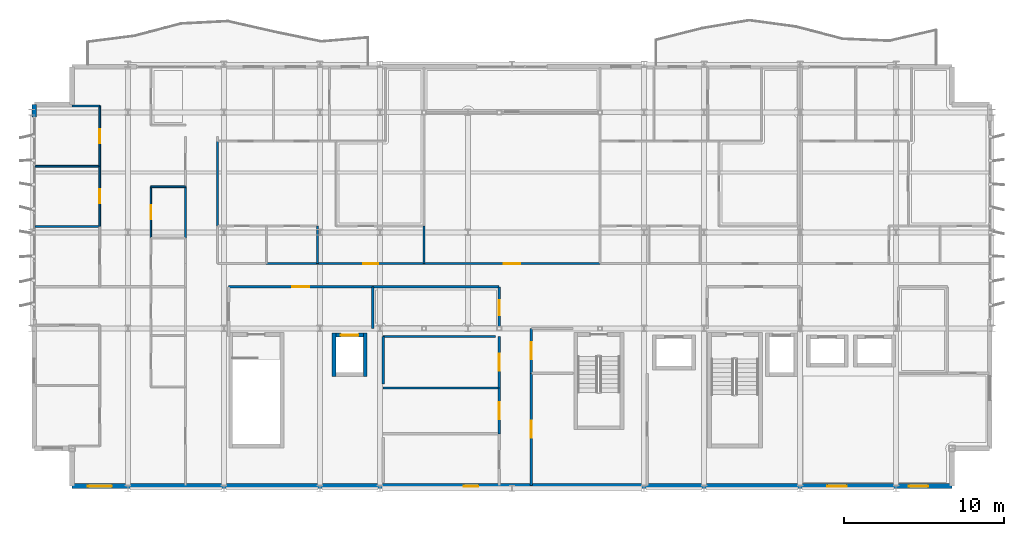
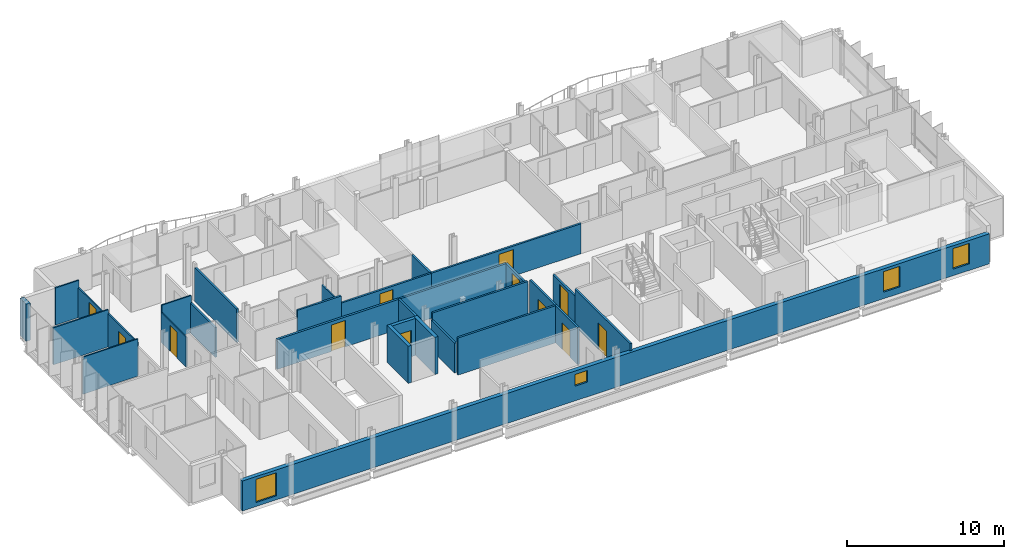
# One storey, part 27 of 35: 30 walls, 12 doors, 4 windows, 16 openings.
"""IFC4 building model written with IfcOpenShell, lengths in metres."""

from ifc_helpers import new_model, si_unit, direction, frame, frame_2d, origin, place, context, subcontext, project, spatial, rectangle, extrude, material, layer, layer_set, type_object, element, fill, save


model = new_model("IFC4")

# Units and contexts
model_context = context("Model", 3, precision=1e-05, world=origin(), true_north=direction((0.0, 1.0)))
body_context = subcontext(model_context, "Body", "Model", "MODEL_VIEW")
ifc_project = project(units=[si_unit("LENGTHUNIT", "METRE"), si_unit("AREAUNIT", "SQUARE_METRE"), si_unit("VOLUMEUNIT", "CUBIC_METRE"), si_unit("PLANEANGLEUNIT", "RADIAN"), si_unit("MASSUNIT", "GRAM", prefix="KILO")], contexts=[model_context])

# Site, building, storey
site_placement = place(None, origin())
site = spatial("IfcSite", under=ifc_project, at=site_placement, CompositionType="ELEMENT")
building_placement = place(site_placement, origin())
building = spatial("IfcBuilding", under=site, at=building_placement, Name="Brevholm Reach", CompositionType="ELEMENT")
storey_placement = place(building_placement, frame((0.0, 0.0, 218.0)))
storey = spatial("IfcBuildingStorey", under=building, at=storey_placement, Name="L66", CompositionType="ELEMENT", Elevation=218.0)

# Walls
ifc_material_1 = material(Name="Concrete C45/55", Category="concrete")
ifc_layer_1 = layer(ifc_material_1, 0.239990234375)
ifc_layer_set_1 = layer_set([ifc_layer_1], Name="Concrete C45/55")
wall_type_1 = type_object("IfcWallType", Name="WAL-COR-240", PredefinedType="SHEAR", material=ifc_layer_set_1)
for number, where, z_axis, x_axis, name in (
    (1, (18.8701171875, 7.0, 0.0), (0.0, 0.0, 1.0), (0.0, 1.0, 0.0), "L66 Lift FFL-1 Shaft Wall W"),
    (2, (20.830078125, 7.0, 0.0), (0.0, 0.0, 1.0), (0.0, 1.0, 0.0), "L66 Lift FFL-1 Shaft Wall E"),
):
    element("IfcWall", number, at=place(storey_placement, frame(where, z_axis=z_axis, x_axis=x_axis)), inside=storey, type_object=wall_type_1, Name=name, PredefinedType="SHEAR", context=body_context, shape_type="SweptSolid", body=[
        extrude(rectangle(XDim=2.699951171875, YDim=0.239990234375, at=frame_2d((1.35009765625, 0.0))), origin(), (0.0, 0.0, 1.0), 2.889892578125),
    ])

# Wall, opening, door
wall_1_placement = place(storey_placement, frame((18.989990234375, 9.580078125, 0.0), z_axis=(0.0, 0.0, 1.0), x_axis=(1.0, 0.0, 0.0)))
wall_1 = element("IfcWall", 3, at=wall_1_placement, inside=storey, type_object=wall_type_1, Name="L66 Lift FFL-1 Shaft Wall N", PredefinedType="SHEAR", context=body_context, shape_type="SweptSolid", body=[
    extrude(rectangle(XDim=1.719970703125, YDim=0.239990234375, at=frame_2d((0.85986328125, 0.0))), origin(), (0.0, 0.0, 1.0), 2.889892578125),
])
opening_1_placement = place(wall_1_placement, frame((0.31005859375, 0.0, 0.0)))
opening_1 = element("IfcOpeningElement", 4, at=opening_1_placement, cuts=wall_1, Name="Opening LD-FFL-1", PredefinedType="OPENING", context=body_context, shape_type="SweptSolid", body=[
    extrude(rectangle(XDim=1.10009765625, YDim=2.06005859375, at=frame_2d((0.550048828125, 1.030029296875))), frame((0.0, 0.1298828125, 0.0), z_axis=(0.0, -1.0, 0.0), x_axis=(1.0, 0.0, 0.0)), (0.0, 0.0, 1.0), 0.260009765625),
])
ifc_material_2 = material(Name="Brushed Stainless Steel Fire-Rated Sliding Lift Door", Category="steel")
door_type_1 = type_object("IfcDoorType", Name="DOR-LFT-1100", OperationType="NOTDEFINED", PredefinedType="DOOR", material=ifc_material_2)
door_1_placement = place(opening_1_placement, origin())
door_1 = element("IfcDoor", 5, at=door_1_placement, inside=storey, type_object=door_type_1, Name="L66 Lift FFL-1 Sliding Landing Door", OperationType="SLIDING_TO_RIGHT", OverallHeight=2.06005859375, OverallWidth=1.10009765625, PredefinedType="DOOR", context=body_context, shape_type="SweptSolid", body=[
    extrude(rectangle(XDim=1.10009765625, YDim=2.06005859375, at=frame_2d((0.550048828125, 1.030029296875))), frame((0.0, 0.02490234375, 0.0), z_axis=(0.0, -1.0, 0.0), x_axis=(1.0, 0.0, 0.0)), (0.0, 0.0, 1.0), 0.050048828125),
])
fill(opening_1, door_1)

# Wall, openings, windows
ifc_material_3 = material(Name="Concrete C40/50", Category="concrete")
ifc_layer_2 = layer(ifc_material_3, 0.300048828125)
ifc_layer_set_2 = layer_set([ifc_layer_2], Name="Concrete C40/50")
wall_type_2 = type_object("IfcWallType", Name="WAL-EXT-300", PredefinedType="STANDARD", material=ifc_layer_set_2)
wall_2_placement = place(storey_placement, frame((2.5, 0.14990234375, 0.0), z_axis=(0.0, 0.0, 1.0), x_axis=(1.0, 0.0, 0.0)))
wall_2 = element("IfcWall", 6, at=wall_2_placement, inside=storey, type_object=wall_type_2, Name="L66 Facade Wall WAL-L66-S", PredefinedType="STANDARD", context=body_context, shape_type="SweptSolid", body=[
    extrude(rectangle(XDim=55.0, YDim=0.300048828125, at=frame_2d((27.5, 0.0))), origin(), (0.0, 0.0, 1.0), 2.331787109375),
])
opening_2_placement = place(wall_2_placement, frame((1.0, 0.0, 0.31201171875)))
opening_2 = element("IfcOpeningElement", 7, at=opening_2_placement, cuts=wall_2, Name="Opening WN-05", PredefinedType="OPENING", context=body_context, shape_type="SweptSolid", body=[
    extrude(rectangle(XDim=1.5, YDim=1.800048828125, at=frame_2d((0.75, 0.89990234375))), frame((0.0, 0.159912109375, 0.0), z_axis=(0.0, -1.0, 0.0), x_axis=(1.0, 0.0, 0.0)), (0.0, 0.0, 1.0), 0.320068359375),
])
opening_3_placement = place(wall_2_placement, frame((24.5, 0.0, 1.14990234375)))
opening_3 = element("IfcOpeningElement", 8, at=opening_3_placement, cuts=wall_2, Name="Opening WN-09", PredefinedType="OPENING", context=body_context, shape_type="SweptSolid", body=[
    extrude(rectangle(XDim=0.89990234375, YDim=0.89990234375, at=frame_2d((0.449951171875, 0.449951171875))), frame((0.0, 0.159912109375, 0.0), z_axis=(0.0, -1.0, 0.0), x_axis=(1.0, 0.0, 0.0)), (0.0, 0.0, 1.0), 0.320068359375),
])
opening_4_placement = place(wall_2_placement, frame((47.199951171875, 0.0, 0.511962890625)))
opening_4 = element("IfcOpeningElement", 9, at=opening_4_placement, cuts=wall_2, Name="Opening WN-08", PredefinedType="OPENING", context=body_context, shape_type="SweptSolid", body=[
    extrude(rectangle(XDim=1.199951171875, YDim=1.60009765625, at=frame_2d((0.60009765625, 0.800048828125))), frame((0.0, 0.159912109375, 0.0), z_axis=(0.0, -1.0, 0.0), x_axis=(1.0, 0.0, 0.0)), (0.0, 0.0, 1.0), 0.320068359375),
])
opening_5_placement = place(wall_2_placement, frame((52.300048828125, 0.0, 0.511962890625)))
opening_5 = element("IfcOpeningElement", 10, at=opening_5_placement, cuts=wall_2, Name="Opening WN-08", PredefinedType="OPENING", context=body_context, shape_type="SweptSolid", body=[
    extrude(rectangle(XDim=1.199951171875, YDim=1.60009765625, at=frame_2d((0.60009765625, 0.800048828125))), frame((0.0, 0.159912109375, 0.0), z_axis=(0.0, -1.0, 0.0), x_axis=(1.0, 0.0, 0.0)), (0.0, 0.0, 1.0), 0.320068359375),
])
ifc_material_4 = material(Name="Dark Anodised Aluminium and Solar-Control IGU Glass", Category="aluminium")
window_type_1 = type_object("IfcWindowType", Name="WIN-POR-0900", PartitioningType="SINGLE_PANEL", PredefinedType="WINDOW", material=ifc_material_4)
window_1_placement = place(opening_3_placement, origin())
window_1 = element("IfcWindow", 11, at=window_1_placement, inside=storey, type_object=window_type_1, Name="L66 Window WIN-L66-S-POR", OverallHeight=0.89990234375, OverallWidth=0.89990234375, PartitioningType="SINGLE_PANEL", PredefinedType="WINDOW", context=body_context, shape_type="SweptSolid", body=[
    extrude(rectangle(XDim=0.89990234375, YDim=0.89990234375, at=frame_2d((0.449951171875, 0.449951171875))), frame((0.0, 0.030029296875, 0.0), z_axis=(0.0, -1.0, 0.0), x_axis=(1.0, 0.0, 0.0)), (0.0, 0.0, 1.0), 0.06005859375),
])
fill(opening_3, window_1)
ifc_material_5 = material(Name="Dark Anodised Aluminium and Solar-Control IGU Glass", Category="aluminium")
window_type_2 = type_object("IfcWindowType", Name="WIN-RES-1200", PartitioningType="SINGLE_PANEL", PredefinedType="WINDOW", material=ifc_material_5)
window_2_placement = place(opening_4_placement, origin())
window_2 = element("IfcWindow", 12, at=window_2_placement, inside=storey, type_object=window_type_2, Name="L66 Window WIN-L66-S-E1", OverallHeight=1.60009765625, OverallWidth=1.199951171875, PartitioningType="SINGLE_PANEL", PredefinedType="WINDOW", context=body_context, shape_type="SweptSolid", body=[
    extrude(rectangle(XDim=1.199951171875, YDim=1.60009765625, at=frame_2d((0.60009765625, 0.800048828125))), frame((0.0, 0.030029296875, 0.0), z_axis=(0.0, -1.0, 0.0), x_axis=(1.0, 0.0, 0.0)), (0.0, 0.0, 1.0), 0.06005859375),
])
fill(opening_4, window_2)
window_3_placement = place(opening_5_placement, origin())
window_3 = element("IfcWindow", 13, at=window_3_placement, inside=storey, type_object=window_type_2, Name="L66 Window WIN-L66-S-E2", OverallHeight=1.60009765625, OverallWidth=1.199951171875, PartitioningType="SINGLE_PANEL", PredefinedType="WINDOW", context=body_context, shape_type="SweptSolid", body=[
    extrude(rectangle(XDim=1.199951171875, YDim=1.60009765625, at=frame_2d((0.60009765625, 0.800048828125))), frame((0.0, 0.030029296875, 0.0), z_axis=(0.0, -1.0, 0.0), x_axis=(1.0, 0.0, 0.0)), (0.0, 0.0, 1.0), 0.06005859375),
])
fill(opening_5, window_3)
ifc_material_6 = material(Name="Dark Anodised Aluminium and Solar-Control IGU Glass", Category="aluminium")
window_type_3 = type_object("IfcWindowType", Name="WIN-RES-1500", PartitioningType="SINGLE_PANEL", PredefinedType="WINDOW", material=ifc_material_6)
window_4_placement = place(opening_2_placement, origin())
window_4 = element("IfcWindow", 14, at=window_4_placement, inside=storey, type_object=window_type_3, Name="L66 Window WIN-L66-S-W1", OverallHeight=1.800048828125, OverallWidth=1.5, PartitioningType="SINGLE_PANEL", PredefinedType="WINDOW", context=body_context, shape_type="SweptSolid", body=[
    extrude(rectangle(XDim=1.5, YDim=1.800048828125, at=frame_2d((0.75, 0.89990234375))), frame((0.0, 0.030029296875, 0.0), z_axis=(0.0, -1.0, 0.0), x_axis=(1.0, 0.0, 0.0)), (0.0, 0.0, 1.0), 0.06005859375),
])
fill(opening_2, window_4)

# Walls
wall_3_placement = place(storey_placement, frame((0.14990234375, 24.0, 0.0), z_axis=(0.0, 0.0, 1.0), x_axis=(0.0, -1.0, 0.0)))
element("IfcWall", 15, at=wall_3_placement, inside=storey, type_object=wall_type_2, Name="L66 Facade Wall WAL-L66-W-N", PredefinedType="STANDARD", context=body_context, shape_type="SweptSolid", body=[
    extrude(rectangle(XDim=0.780029296875, YDim=0.300048828125, at=frame_2d((0.39013671875, 0.0))), origin(), (0.0, 0.0, 1.0), 2.889892578125),
])
ifc_material_7 = material(Name="Moisture-Resistant Acoustic Gypsum Stud Partition 100 mm", Category="gypsum")
ifc_layer_3 = layer(ifc_material_7, 0.10009765625)
ifc_layer_set_3 = layer_set([ifc_layer_3], Name="Moisture-Resistant Acoustic Gypsum Stud Partition 100 mm")
wall_type_3 = type_object("IfcWallType", Name="WAL-PRT-100", PredefinedType="PARTITIONING", material=ifc_layer_set_3)
wall_4_placement = place(storey_placement, frame((7.43798828125, 18.85009765625, 0.0), z_axis=(0.0, 0.0, 1.0), x_axis=(1.0, 0.0, 0.0)))
element("IfcWall", 16, at=wall_4_placement, inside=storey, type_object=wall_type_3, Name="L66 Internal Partition 058", PredefinedType="PARTITIONING", context=body_context, shape_type="SweptSolid", body=[
    extrude(rectangle(XDim=2.157958984375, YDim=0.10009765625, at=frame_2d((1.0791015625, 0.0))), origin(), (0.0, 0.0, 1.0), 2.889892578125),
])

# Wall, opening, door
wall_5_placement = place(storey_placement, frame((7.43798828125, 15.654052734375, 0.0), z_axis=(0.0, 0.0, 1.0), x_axis=(0.0, 1.0, 0.0)))
wall_5 = element("IfcWall", 17, at=wall_5_placement, inside=storey, type_object=wall_type_3, Name="L66 Internal Partition 059", PredefinedType="PARTITIONING", context=body_context, shape_type="SweptSolid", body=[
    extrude(rectangle(XDim=3.196044921875, YDim=0.10009765625, at=frame_2d((1.59814453125, 0.0))), origin(), (0.0, 0.0, 1.0), 2.325439453125),
])
opening_6_placement = place(wall_5_placement, frame((1.157958984375, 0.0, 0.0)))
opening_6 = element("IfcOpeningElement", 18, at=opening_6_placement, cuts=wall_5, Name="Opening ID-01", PredefinedType="OPENING", context=body_context, shape_type="SweptSolid", body=[
    extrude(rectangle(XDim=0.8798828125, YDim=2.0400390625, at=frame_2d((0.43994140625, 1.02001953125))), frame((0.0, 0.06005859375, 0.0), z_axis=(0.0, -1.0, 0.0), x_axis=(1.0, 0.0, 0.0)), (0.0, 0.0, 1.0), 0.1201171875),
])
ifc_material_8 = material(Name="Lacquered Ash Solid-Core Acoustic Internal Door", Category="timber")
door_type_2 = type_object("IfcDoorType", Name="DOR-INT-880", OperationType="NOTDEFINED", PredefinedType="DOOR", material=ifc_material_8)
door_2_placement = place(opening_6_placement, origin())
door_2 = element("IfcDoor", 19, at=door_2_placement, inside=storey, type_object=door_type_2, Name="L66 Internal Door 025", OperationType="SINGLE_SWING_RIGHT", OverallHeight=2.0400390625, OverallWidth=0.8798828125, PredefinedType="DOOR", context=body_context, shape_type="SweptSolid", body=[
    extrude(rectangle(XDim=0.8798828125, YDim=2.0400390625, at=frame_2d((0.43994140625, 1.02001953125))), frame((0.0, 0.02490234375, 0.0), z_axis=(0.0, -1.0, 0.0), x_axis=(1.0, 0.0, 0.0)), (0.0, 0.0, 1.0), 0.050048828125),
])
fill(opening_6, door_2)

# Walls
for number, where, z_axis, x_axis, name in (
    (20, (0.199951171875, 16.366943359375, 0.0), (0.0, 0.0, 1.0), (1.0, 0.0, 0.0), "L66 Internal Partition 062"),
    (21, (0.199951171875, 20.134033203125, 0.0), (0.0, 0.0, 1.0), (1.0, 0.0, 0.0), "L66 Internal Partition 064"),
):
    element("IfcWall", number, at=place(storey_placement, frame(where, z_axis=z_axis, x_axis=x_axis)), inside=storey, type_object=wall_type_3, Name=name, PredefinedType="PARTITIONING", context=body_context, shape_type="SweptSolid", body=[
        extrude(rectangle(XDim=4.0419921875, YDim=0.10009765625, at=frame_2d((2.02099609375, 0.0))), origin(), (0.0, 0.0, 1.0), 2.889892578125),
    ])

# Wall, opening, door
wall_6_placement = place(storey_placement, frame((4.241943359375, 16.37109375, 0.0), z_axis=(0.0, 0.0, 1.0), x_axis=(0.0, 1.0, 0.0)))
wall_6 = element("IfcWall", 22, at=wall_6_placement, inside=storey, type_object=wall_type_3, Name="L66 Internal Partition 065", PredefinedType="PARTITIONING", context=body_context, shape_type="SweptSolid", body=[
    extrude(rectangle(XDim=3.762939453125, YDim=0.10009765625, at=frame_2d((1.88134765625, 0.0))), origin(), (0.0, 0.0, 1.0), 2.613525390625),
])
opening_7_placement = place(wall_6_placement, frame((1.44140625, 0.0, 0.0)))
opening_7 = element("IfcOpeningElement", 23, at=opening_7_placement, cuts=wall_6, Name="Opening ID-01", PredefinedType="OPENING", context=body_context, shape_type="SweptSolid", body=[
    extrude(rectangle(XDim=0.8798828125, YDim=2.0400390625, at=frame_2d((0.43994140625, 1.02001953125))), frame((0.0, 0.06005859375, 0.0), z_axis=(0.0, -1.0, 0.0), x_axis=(1.0, 0.0, 0.0)), (0.0, 0.0, 1.0), 0.1201171875),
])
door_3_placement = place(opening_7_placement, origin())
door_3 = element("IfcDoor", 24, at=door_3_placement, inside=storey, type_object=door_type_2, Name="L66 Internal Door 028", OperationType="SINGLE_SWING_LEFT", OverallHeight=2.0400390625, OverallWidth=0.8798828125, PredefinedType="DOOR", context=body_context, shape_type="SweptSolid", body=[
    extrude(rectangle(XDim=0.8798828125, YDim=2.0400390625, at=frame_2d((0.43994140625, 1.02001953125))), frame((0.0, 0.02490234375, 0.0), z_axis=(0.0, -1.0, 0.0), x_axis=(1.0, 0.0, 0.0)), (0.0, 0.0, 1.0), 0.050048828125),
])
fill(opening_7, door_3)

# Wall
wall_7_placement = place(storey_placement, frame((2.52001953125, 23.90087890625, 0.0), z_axis=(0.0, 0.0, 1.0), x_axis=(1.0, 0.0, 0.0)))
element("IfcWall", 25, at=wall_7_placement, inside=storey, type_object=wall_type_3, Name="L66 Internal Partition 066", PredefinedType="PARTITIONING", context=body_context, shape_type="SweptSolid", body=[
    extrude(rectangle(XDim=1.721923828125, YDim=0.10009765625, at=frame_2d((0.86083984375, 0.0))), origin(), (0.0, 0.0, 1.0), 2.889892578125),
])

# Wall, opening, door
wall_8_placement = place(storey_placement, frame((4.241943359375, 20.137939453125, 0.0), z_axis=(0.0, 0.0, 1.0), x_axis=(0.0, 1.0, 0.0)))
wall_8 = element("IfcWall", 26, at=wall_8_placement, inside=storey, type_object=wall_type_3, Name="L66 Internal Partition 067", PredefinedType="PARTITIONING", context=body_context, shape_type="SweptSolid", body=[
    extrude(rectangle(XDim=3.762939453125, YDim=0.10009765625, at=frame_2d((1.88134765625, 0.0))), origin(), (0.0, 0.0, 1.0), 2.325439453125),
])
opening_8_placement = place(wall_8_placement, frame((1.44140625, 0.0, 0.0)))
opening_8 = element("IfcOpeningElement", 27, at=opening_8_placement, cuts=wall_8, Name="Opening ID-01", PredefinedType="OPENING", context=body_context, shape_type="SweptSolid", body=[
    extrude(rectangle(XDim=0.8798828125, YDim=2.0400390625, at=frame_2d((0.43994140625, 1.02001953125))), frame((0.0, 0.06005859375, 0.0), z_axis=(0.0, -1.0, 0.0), x_axis=(1.0, 0.0, 0.0)), (0.0, 0.0, 1.0), 0.1201171875),
])
door_4_placement = place(opening_8_placement, origin())
door_4 = element("IfcDoor", 28, at=door_4_placement, inside=storey, type_object=door_type_2, Name="L66 Internal Door 029", OperationType="SINGLE_SWING_RIGHT", OverallHeight=2.0400390625, OverallWidth=0.8798828125, PredefinedType="DOOR", context=body_context, shape_type="SweptSolid", body=[
    extrude(rectangle(XDim=0.8798828125, YDim=2.0400390625, at=frame_2d((0.43994140625, 1.02001953125))), frame((0.0, 0.02490234375, 0.0), z_axis=(0.0, -1.0, 0.0), x_axis=(1.0, 0.0, 0.0)), (0.0, 0.0, 1.0), 0.050048828125),
])
fill(opening_8, door_4)

# Wall
wall_9_placement = place(storey_placement, frame((17.85009765625, 14.053955078125, 0.0), z_axis=(0.0, 0.0, 1.0), x_axis=(0.0, 1.0, 0.0)))
element("IfcWall", 29, at=wall_9_placement, inside=storey, type_object=wall_type_3, Name="L66 Internal Partition 070", PredefinedType="PARTITIONING", context=body_context, shape_type="SweptSolid", body=[
    extrude(rectangle(XDim=2.345947265625, YDim=0.10009765625, at=frame_2d((1.1728515625, 0.0))), origin(), (0.0, 0.0, 1.0), 2.325439453125),
])

# Wall, opening, door
ifc_material_9 = material(Name="Twin-Stud Acoustic Fire-Rated Gypsum Partition 140 mm", Category="gypsum")
ifc_layer_4 = layer(ifc_material_9, 0.139892578125)
ifc_layer_set_4 = layer_set([ifc_layer_4], Name="Twin-Stud Acoustic Fire-Rated Gypsum Partition 140 mm")
wall_type_4 = type_object("IfcWallType", Name="WAL-PRT-140", PredefinedType="PARTITIONING", material=ifc_layer_set_4)
wall_10_placement = place(storey_placement, frame((29.199951171875, 3.40869140625, 0.0), z_axis=(0.0, 0.0, 1.0), x_axis=(0.0, 1.0, 0.0)))
wall_10 = element("IfcWall", 30, at=wall_10_placement, inside=storey, type_object=wall_type_4, Name="L66 Internal Partition 002", PredefinedType="PARTITIONING", context=body_context, shape_type="SweptSolid", body=[
    extrude(rectangle(XDim=2.885498046875, YDim=0.139892578125, at=frame_2d((1.44287109375, 0.0))), origin(), (0.0, 0.0, 1.0), 2.889892578125),
])
opening_9_placement = place(wall_10_placement, frame((0.917724609375, 0.0, 0.0)))
opening_9 = element("IfcOpeningElement", 31, at=opening_9_placement, cuts=wall_10, Name="Opening FD-01", PredefinedType="OPENING", context=body_context, shape_type="SweptSolid", body=[
    extrude(rectangle(XDim=1.050048828125, YDim=2.06005859375, at=frame_2d((0.52490234375, 1.030029296875))), frame((0.0, 0.079833984375, 0.0), z_axis=(0.0, -1.0, 0.0), x_axis=(1.0, 0.0, 0.0)), (0.0, 0.0, 1.0), 0.159912109375),
])
ifc_material_10 = material(Name="Hardwood-Lipped Steel-Core Fire and Smoke Door", Category="steel")
door_type_3 = type_object("IfcDoorType", Name="DOR-INT-FD60S", OperationType="NOTDEFINED", PredefinedType="DOOR", material=ifc_material_10)
door_5_placement = place(opening_9_placement, origin())
door_5 = element("IfcDoor", 32, at=door_5_placement, inside=storey, type_object=door_type_3, Name="L66 Internal Door 002", OperationType="SINGLE_SWING_LEFT", OverallHeight=2.06005859375, OverallWidth=1.050048828125, PredefinedType="DOOR", context=body_context, shape_type="SweptSolid", body=[
    extrude(rectangle(XDim=1.050048828125, YDim=2.06005859375, at=frame_2d((0.52490234375, 1.030029296875))), frame((0.0, 0.02490234375, 0.0), z_axis=(0.0, -1.0, 0.0), x_axis=(1.0, 0.0, 0.0)), (0.0, 0.0, 1.0), 0.050048828125),
])
fill(opening_9, door_5)

wall_11_placement = place(storey_placement, frame((29.199951171875, 6.275634765625, 0.0), z_axis=(0.0, 0.0, 1.0), x_axis=(0.0, 1.0, 0.0)))
wall_11 = element("IfcWall", 33, at=wall_11_placement, inside=storey, type_object=wall_type_4, Name="L66 Internal Partition 003", PredefinedType="PARTITIONING", context=body_context, shape_type="SweptSolid", body=[
    extrude(rectangle(XDim=3.235595703125, YDim=0.139892578125, at=frame_2d((1.61767578125, 0.0))), origin(), (0.0, 0.0, 1.0), 2.889892578125),
])
opening_10_placement = place(wall_11_placement, frame((1.0927734375, 0.0, 0.0)))
opening_10 = element("IfcOpeningElement", 34, at=opening_10_placement, cuts=wall_11, Name="Opening FD-01", PredefinedType="OPENING", context=body_context, shape_type="SweptSolid", body=[
    extrude(rectangle(XDim=1.050048828125, YDim=2.06005859375, at=frame_2d((0.52490234375, 1.030029296875))), frame((0.0, 0.079833984375, 0.0), z_axis=(0.0, -1.0, 0.0), x_axis=(1.0, 0.0, 0.0)), (0.0, 0.0, 1.0), 0.159912109375),
])
door_6_placement = place(opening_10_placement, origin())
door_6 = element("IfcDoor", 35, at=door_6_placement, inside=storey, type_object=door_type_3, Name="L66 Internal Door 003", OperationType="SINGLE_SWING_RIGHT", OverallHeight=2.06005859375, OverallWidth=1.050048828125, PredefinedType="DOOR", context=body_context, shape_type="SweptSolid", body=[
    extrude(rectangle(XDim=1.050048828125, YDim=2.06005859375, at=frame_2d((0.52490234375, 1.030029296875))), frame((0.0, 0.02490234375, 0.0), z_axis=(0.0, -1.0, 0.0), x_axis=(1.0, 0.0, 0.0)), (0.0, 0.0, 1.0), 0.050048828125),
])
fill(opening_10, door_6)

wall_12_placement = place(storey_placement, frame((31.199951171875, 0.179931640625, 0.0), z_axis=(0.0, 0.0, 1.0), x_axis=(0.0, 1.0, 0.0)))
wall_12 = element("IfcWall", 36, at=wall_12_placement, inside=storey, type_object=wall_type_4, Name="L66 Internal Partition 004", PredefinedType="PARTITIONING", context=body_context, shape_type="SweptSolid", body=[
    extrude(rectangle(XDim=7.03125, YDim=0.139892578125, at=frame_2d((3.515625, 0.0))), origin(), (0.0, 0.0, 1.0), 2.889892578125),
])
opening_11_placement = place(wall_12_placement, frame((2.99072265625, 0.0, 0.0)))
opening_11 = element("IfcOpeningElement", 37, at=opening_11_placement, cuts=wall_12, Name="Opening FD-01", PredefinedType="OPENING", context=body_context, shape_type="SweptSolid", body=[
    extrude(rectangle(XDim=1.050048828125, YDim=2.06005859375, at=frame_2d((0.52490234375, 1.030029296875))), frame((0.0, 0.079833984375, 0.0), z_axis=(0.0, -1.0, 0.0), x_axis=(1.0, 0.0, 0.0)), (0.0, 0.0, 1.0), 0.159912109375),
])
door_7_placement = place(opening_11_placement, origin())
door_7 = element("IfcDoor", 38, at=door_7_placement, inside=storey, type_object=door_type_3, Name="L66 Internal Door 004", OperationType="SINGLE_SWING_LEFT", OverallHeight=2.06005859375, OverallWidth=1.050048828125, PredefinedType="DOOR", context=body_context, shape_type="SweptSolid", body=[
    extrude(rectangle(XDim=1.050048828125, YDim=2.06005859375, at=frame_2d((0.52490234375, 1.030029296875))), frame((0.0, 0.02490234375, 0.0), z_axis=(0.0, -1.0, 0.0), x_axis=(1.0, 0.0, 0.0)), (0.0, 0.0, 1.0), 0.050048828125),
])
fill(opening_11, door_7)

wall_13_placement = place(storey_placement, frame((31.199951171875, 7.192626953125, 0.0), z_axis=(0.0, 0.0, 1.0), x_axis=(0.0, 1.0, 0.0)))
wall_13 = element("IfcWall", 39, at=wall_13_placement, inside=storey, type_object=wall_type_4, Name="L66 Internal Partition 005", PredefinedType="PARTITIONING", context=body_context, shape_type="SweptSolid", body=[
    extrude(rectangle(XDim=2.818603515625, YDim=0.139892578125, at=frame_2d((1.4091796875, 0.0))), origin(), (0.0, 0.0, 1.0), 2.325439453125),
])
opening_12_placement = place(wall_13_placement, frame((0.88427734375, 0.0, 0.0)))
opening_12 = element("IfcOpeningElement", 40, at=opening_12_placement, cuts=wall_13, Name="Opening FD-01", PredefinedType="OPENING", context=body_context, shape_type="SweptSolid", body=[
    extrude(rectangle(XDim=1.050048828125, YDim=2.06005859375, at=frame_2d((0.52490234375, 1.030029296875))), frame((0.0, 0.079833984375, 0.0), z_axis=(0.0, -1.0, 0.0), x_axis=(1.0, 0.0, 0.0)), (0.0, 0.0, 1.0), 0.159912109375),
])
door_8_placement = place(opening_12_placement, origin())
door_8 = element("IfcDoor", 41, at=door_8_placement, inside=storey, type_object=door_type_3, Name="L66 Internal Door 005", OperationType="SINGLE_SWING_RIGHT", OverallHeight=2.06005859375, OverallWidth=1.050048828125, PredefinedType="DOOR", context=body_context, shape_type="SweptSolid", body=[
    extrude(rectangle(XDim=1.050048828125, YDim=2.06005859375, at=frame_2d((0.52490234375, 1.030029296875))), frame((0.0, 0.02490234375, 0.0), z_axis=(0.0, -1.0, 0.0), x_axis=(1.0, 0.0, 0.0)), (0.0, 0.0, 1.0), 0.050048828125),
])
fill(opening_12, door_8)

wall_14_placement = place(storey_placement, frame((29.199951171875, 9.98876953125, 0.0), z_axis=(0.0, 0.0, 1.0), x_axis=(0.0, 1.0, 0.0)))
wall_14 = element("IfcWall", 42, at=wall_14_placement, inside=storey, type_object=wall_type_4, Name="L66 Internal Partition 006", PredefinedType="PARTITIONING", context=body_context, shape_type="SweptSolid", body=[
    extrude(rectangle(XDim=2.611328125, YDim=0.139892578125, at=frame_2d((1.3056640625, 0.0))), origin(), (0.0, 0.0, 1.0), 2.325439453125),
])
opening_13_placement = place(wall_14_placement, frame((0.83056640625, 0.0, 0.0)))
opening_13 = element("IfcOpeningElement", 43, at=opening_13_placement, cuts=wall_14, Name="Opening ID-30", PredefinedType="OPENING", context=body_context, shape_type="SweptSolid", body=[
    extrude(rectangle(XDim=0.949951171875, YDim=2.050048828125, at=frame_2d((0.47509765625, 1.02490234375))), frame((0.0, 0.079833984375, 0.0), z_axis=(0.0, -1.0, 0.0), x_axis=(1.0, 0.0, 0.0)), (0.0, 0.0, 1.0), 0.159912109375),
])
ifc_material_11 = material(Name="European Oak Veneered Solid-Core Fire Entrance Door", Category="timber")
door_type_4 = type_object("IfcDoorType", Name="DOR-FLT-FD30S", OperationType="NOTDEFINED", PredefinedType="DOOR", material=ifc_material_11)
door_9_placement = place(opening_13_placement, origin())
door_9 = element("IfcDoor", 44, at=door_9_placement, inside=storey, type_object=door_type_4, Name="L66 Internal Door 006", OperationType="SINGLE_SWING_LEFT", OverallHeight=2.050048828125, OverallWidth=0.949951171875, PredefinedType="DOOR", context=body_context, shape_type="SweptSolid", body=[
    extrude(rectangle(XDim=0.949951171875, YDim=2.050048828125, at=frame_2d((0.47509765625, 1.02490234375))), frame((0.0, 0.02490234375, 0.0), z_axis=(0.0, -1.0, 0.0), x_axis=(1.0, 0.0, 0.0)), (0.0, 0.0, 1.0), 0.050048828125),
])
fill(opening_13, door_9)

# Walls
wall_15_placement = place(storey_placement, frame((21.949951171875, 6.282958984375, 0.0), z_axis=(0.0, 0.0, 1.0), x_axis=(1.0, 0.0, 0.0)))
element("IfcWall", 45, at=wall_15_placement, inside=storey, type_object=wall_type_4, Name="L66 Internal Partition 008", PredefinedType="PARTITIONING", context=body_context, shape_type="SweptSolid", body=[
    extrude(rectangle(XDim=7.24609375, YDim=0.139892578125, at=frame_2d((3.623046875, 0.0))), origin(), (0.0, 0.0, 1.0), 2.889892578125),
])
wall_16_placement = place(storey_placement, frame((21.303955078125, 12.60009765625, 0.0), z_axis=(0.0, 0.0, 1.0), x_axis=(1.0, 0.0, 0.0)))
element("IfcWall", 46, at=wall_16_placement, inside=storey, type_object=wall_type_4, Name="L66 Internal Partition 023", PredefinedType="PARTITIONING", context=body_context, shape_type="SweptSolid", body=[
    extrude(rectangle(XDim=7.89208984375, YDim=0.139892578125, at=frame_2d((3.946044921875, 0.0))), origin(), (0.0, 0.0, 1.0), 2.325439453125),
])
wall_17_placement = place(storey_placement, frame((14.642578125, 14.050048828125, 0.0), z_axis=(0.0, 0.0, 1.0), x_axis=(1.0, 0.0, 0.0)))
element("IfcWall", 47, at=wall_17_placement, inside=storey, type_object=wall_type_4, Name="L66 Internal Partition 025", PredefinedType="PARTITIONING", context=body_context, shape_type="SweptSolid", body=[
    extrude(rectangle(XDim=3.21875, YDim=0.139892578125, at=frame_2d((1.609375, 0.0))), origin(), (0.0, 0.0, 1.0), 2.889892578125),
])

# Wall, opening, door
wall_18_placement = place(storey_placement, frame((17.8427734375, 14.050048828125, 0.0), z_axis=(0.0, 0.0, 1.0), x_axis=(1.0, 0.0, 0.0)))
wall_18 = element("IfcWall", 48, at=wall_18_placement, inside=storey, type_object=wall_type_4, Name="L66 Internal Partition 026", PredefinedType="PARTITIONING", context=body_context, shape_type="SweptSolid", body=[
    extrude(rectangle(XDim=6.66845703125, YDim=0.139892578125, at=frame_2d((3.334228515625, 0.0))), origin(), (0.0, 0.0, 1.0), 2.325439453125),
])
opening_14_placement = place(wall_18_placement, frame((2.859375, 0.0, 0.0)))
opening_14 = element("IfcOpeningElement", 49, at=opening_14_placement, cuts=wall_18, Name="Opening ID-30", PredefinedType="OPENING", context=body_context, shape_type="SweptSolid", body=[
    extrude(rectangle(XDim=0.949951171875, YDim=2.050048828125, at=frame_2d((0.47509765625, 1.02490234375))), frame((0.0, 0.079833984375, 0.0), z_axis=(0.0, -1.0, 0.0), x_axis=(1.0, 0.0, 0.0)), (0.0, 0.0, 1.0), 0.159912109375),
])
door_10_placement = place(opening_14_placement, origin())
door_10 = element("IfcDoor", 50, at=door_10_placement, inside=storey, type_object=door_type_4, Name="L66 Internal Door 013", OperationType="SINGLE_SWING_RIGHT", OverallHeight=2.050048828125, OverallWidth=0.949951171875, PredefinedType="DOOR", context=body_context, shape_type="SweptSolid", body=[
    extrude(rectangle(XDim=0.949951171875, YDim=2.050048828125, at=frame_2d((0.47509765625, 1.02490234375))), frame((0.0, 0.02490234375, 0.0), z_axis=(0.0, -1.0, 0.0), x_axis=(1.0, 0.0, 0.0)), (0.0, 0.0, 1.0), 0.050048828125),
])
fill(opening_14, door_10)

wall_19_placement = place(storey_placement, frame((24.49267578125, 14.050048828125, 0.0), z_axis=(0.0, 0.0, 1.0), x_axis=(1.0, 0.0, 0.0)))
wall_19 = element("IfcWall", 51, at=wall_19_placement, inside=storey, type_object=wall_type_4, Name="L66 Internal Partition 027", PredefinedType="PARTITIONING", context=body_context, shape_type="SweptSolid", body=[
    extrude(rectangle(XDim=11.0185546875, YDim=0.139892578125, at=frame_2d((5.50927734375, 0.0))), origin(), (0.0, 0.0, 1.0), 2.331787109375),
])
opening_15_placement = place(wall_19_placement, frame((4.984375, 0.0, 0.0)))
opening_15 = element("IfcOpeningElement", 52, at=opening_15_placement, cuts=wall_19, Name="Opening FD-01", PredefinedType="OPENING", context=body_context, shape_type="SweptSolid", body=[
    extrude(rectangle(XDim=1.050048828125, YDim=2.06005859375, at=frame_2d((0.52490234375, 1.030029296875))), frame((0.0, 0.079833984375, 0.0), z_axis=(0.0, -1.0, 0.0), x_axis=(1.0, 0.0, 0.0)), (0.0, 0.0, 1.0), 0.159912109375),
])
door_11_placement = place(opening_15_placement, origin())
door_11 = element("IfcDoor", 53, at=door_11_placement, inside=storey, type_object=door_type_3, Name="L66 Internal Door 014", OperationType="SINGLE_SWING_LEFT", OverallHeight=2.06005859375, OverallWidth=1.050048828125, PredefinedType="DOOR", context=body_context, shape_type="SweptSolid", body=[
    extrude(rectangle(XDim=1.050048828125, YDim=2.06005859375, at=frame_2d((0.52490234375, 1.030029296875))), frame((0.0, 0.02490234375, 0.0), z_axis=(0.0, -1.0, 0.0), x_axis=(1.0, 0.0, 0.0)), (0.0, 0.0, 1.0), 0.050048828125),
])
fill(opening_15, door_11)

# Walls
wall_20_placement = place(storey_placement, frame((9.60009765625, 15.642578125, 0.0), z_axis=(0.0, 0.0, 1.0), x_axis=(0.0, 1.0, 0.0)))
element("IfcWall", 54, at=wall_20_placement, inside=storey, type_object=wall_type_4, Name="L66 Internal Partition 051", PredefinedType="PARTITIONING", context=body_context, shape_type="SweptSolid", body=[
    extrude(rectangle(XDim=3.21875, YDim=0.139892578125, at=frame_2d((1.609375, 0.0))), origin(), (0.0, 0.0, 1.0), 2.325439453125),
])
wall_21_placement = place(storey_placement, frame((11.60009765625, 16.392578125, 0.0), z_axis=(0.0, 0.0, 1.0), x_axis=(0.0, 1.0, 0.0)))
element("IfcWall", 55, at=wall_21_placement, inside=storey, type_object=wall_type_4, Name="L66 Internal Partition 055", PredefinedType="PARTITIONING", context=body_context, shape_type="SweptSolid", body=[
    extrude(rectangle(XDim=5.314697265625, YDim=0.139892578125, at=frame_2d((2.6572265625, 0.0))), origin(), (0.0, 0.0, 1.0), 2.613525390625),
])
wall_22_placement = place(storey_placement, frame((24.5, 14.053955078125, 0.0), z_axis=(0.0, 0.0, 1.0), x_axis=(0.0, 1.0, 0.0)))
element("IfcWall", 56, at=wall_22_placement, inside=storey, type_object=wall_type_4, Name="L66 Internal Partition 083", PredefinedType="PARTITIONING", context=body_context, shape_type="SweptSolid", body=[
    extrude(rectangle(XDim=2.342041015625, YDim=0.139892578125, at=frame_2d((1.1708984375, 0.0))), origin(), (0.0, 0.0, 1.0), 2.325439453125),
])
wall_23_placement = place(storey_placement, frame((21.949951171875, 9.5, 0.0), z_axis=(0.0, 0.0, 1.0), x_axis=(1.0, 0.0, 0.0)))
element("IfcWall", 57, at=wall_23_placement, inside=storey, type_object=wall_type_4, Name="L66 Internal Partition 116", PredefinedType="PARTITIONING", context=body_context, shape_type="SweptSolid", body=[
    extrude(rectangle(XDim=7.010009765625, YDim=0.139892578125, at=frame_2d((3.5048828125, 0.0))), origin(), (0.0, 0.0, 1.0), 2.889892578125),
])
wall_24_placement = place(storey_placement, frame((21.949951171875, 6.52294921875, 0.0), z_axis=(0.0, 0.0, 1.0), x_axis=(0.0, 1.0, 0.0)))
element("IfcWall", 58, at=wall_24_placement, inside=storey, type_object=wall_type_4, Name="L66 Internal Partition 117", PredefinedType="PARTITIONING", context=body_context, shape_type="SweptSolid", body=[
    extrude(rectangle(XDim=2.97705078125, YDim=0.139892578125, at=frame_2d((1.488525390625, 0.0))), origin(), (0.0, 0.0, 1.0), 2.325439453125),
])

# Wall, opening, door
ifc_material_12 = material(Name="Twin-Frame Fire-Rated Gypsum Board and Mineral Wool 160 mm", Category="gypsum")
ifc_layer_5 = layer(ifc_material_12, 0.159912109375)
ifc_layer_set_5 = layer_set([ifc_layer_5], Name="Twin-Frame Fire-Rated Gypsum Board and Mineral Wool 160 mm")
wall_type_5 = type_object("IfcWallType", Name="WAL-PRT-160", PredefinedType="PARTITIONING", material=ifc_layer_set_5)
wall_25_placement = place(storey_placement, frame((12.300048828125, 12.60009765625, 0.0), z_axis=(0.0, 0.0, 1.0), x_axis=(1.0, 0.0, 0.0)))
wall_25 = element("IfcWall", 59, at=wall_25_placement, inside=storey, type_object=wall_type_5, Name="L66 Internal Partition 012", PredefinedType="PARTITIONING", context=body_context, shape_type="SweptSolid", body=[
    extrude(rectangle(XDim=9.0, YDim=0.159912109375, at=frame_2d((4.5, 0.0))), origin(), (0.0, 0.0, 1.0), 2.325439453125),
])
opening_16_placement = place(wall_25_placement, frame((3.97509765625, 0.0, 0.0)))
opening_16 = element("IfcOpeningElement", 60, at=opening_16_placement, cuts=wall_25, Name="Opening FD-01", PredefinedType="OPENING", context=body_context, shape_type="SweptSolid", body=[
    extrude(rectangle(XDim=1.050048828125, YDim=2.06005859375, at=frame_2d((0.52490234375, 1.030029296875))), frame((0.0, 0.08984375, 0.0), z_axis=(0.0, -1.0, 0.0), x_axis=(1.0, 0.0, 0.0)), (0.0, 0.0, 1.0), 0.179931640625),
])
door_12_placement = place(opening_16_placement, origin())
door_12 = element("IfcDoor", 61, at=door_12_placement, inside=storey, type_object=door_type_3, Name="L66 Internal Door 007", OperationType="SINGLE_SWING_RIGHT", OverallHeight=2.06005859375, OverallWidth=1.050048828125, PredefinedType="DOOR", context=body_context, shape_type="SweptSolid", body=[
    extrude(rectangle(XDim=1.050048828125, YDim=2.06005859375, at=frame_2d((0.52490234375, 1.030029296875))), frame((0.0, 0.02490234375, 0.0), z_axis=(0.0, -1.0, 0.0), x_axis=(1.0, 0.0, 0.0)), (0.0, 0.0, 1.0), 0.050048828125),
])
fill(opening_16, door_12)

# Wall
wall_26_placement = place(storey_placement, frame((21.300048828125, 9.98876953125, 0.0), z_axis=(0.0, 0.0, 1.0), x_axis=(0.0, 1.0, 0.0)))
element("IfcWall", 62, at=wall_26_placement, inside=storey, type_object=wall_type_5, Name="L66 Internal Partition 014", PredefinedType="PARTITIONING", context=body_context, shape_type="SweptSolid", body=[
    extrude(rectangle(XDim=2.611328125, YDim=0.159912109375, at=frame_2d((1.3056640625, 0.0))), origin(), (0.0, 0.0, 1.0), 2.325439453125),
])

save(model, "model.ifc")
